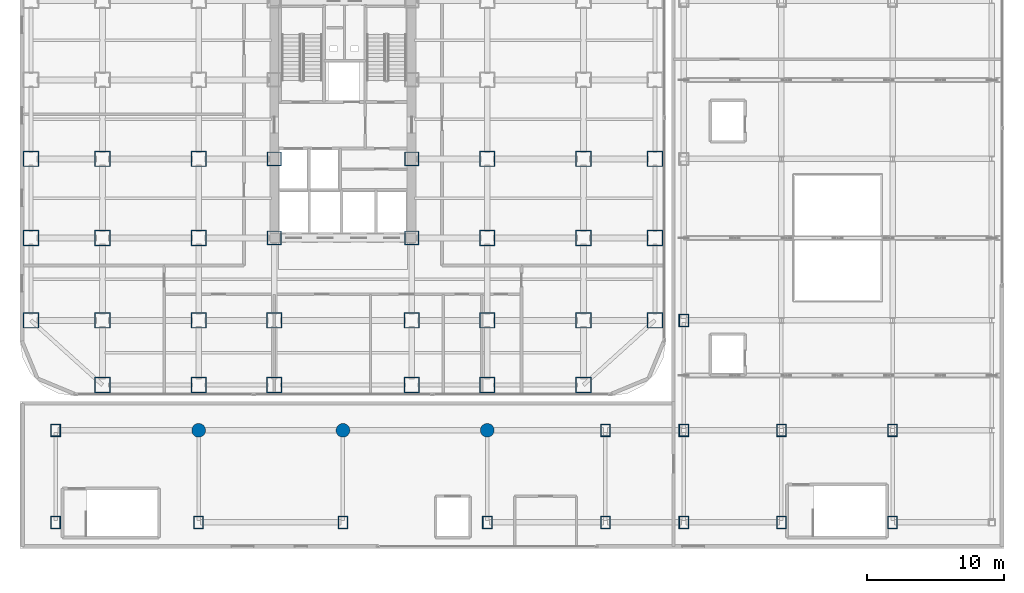
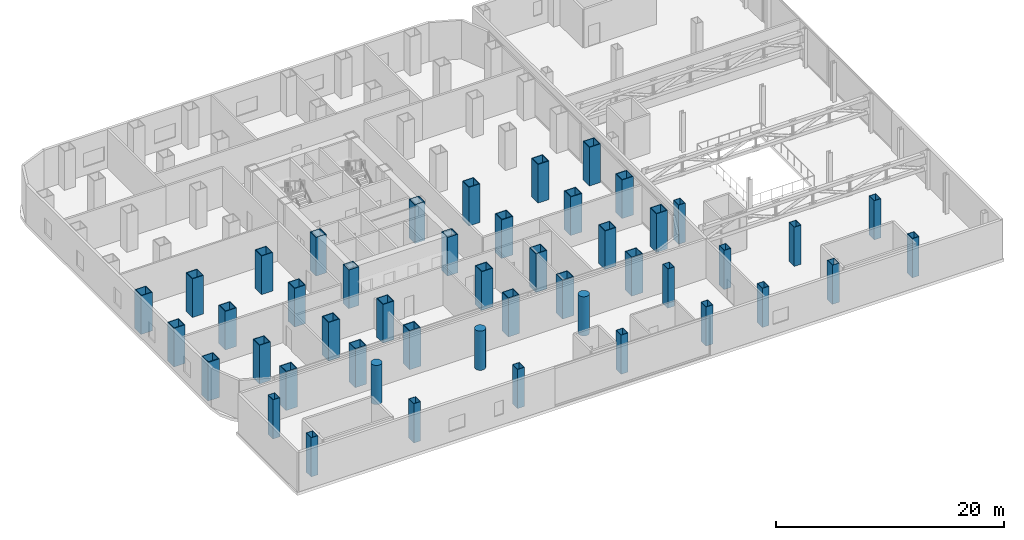
# One storey, part 1 of 28: 47 columns.
"""IFC4 building model written with IfcOpenShell, lengths in metres."""

from ifc_helpers import new_model, si_unit, direction, frame, origin, origin_2d, place, context, subcontext, project, spatial, hollow_rectangle, circle, extrude, source, transform, mapped, material, material_profile, profile_set, type_object, element, save


model = new_model("IFC4")

# Units and contexts
model_context = context("Model", 3, precision=1e-05, world=origin(), true_north=direction((0.0, 1.0)))
body_context = subcontext(model_context, "Body", "Model", "MODEL_VIEW")
ifc_project = project(units=[si_unit("LENGTHUNIT", "METRE"), si_unit("AREAUNIT", "SQUARE_METRE"), si_unit("VOLUMEUNIT", "CUBIC_METRE"), si_unit("PLANEANGLEUNIT", "RADIAN"), si_unit("MASSUNIT", "GRAM", prefix="KILO")], contexts=[model_context])

# Site, building, storey
site_placement = place(None, origin())
site = spatial("IfcSite", under=ifc_project, at=site_placement, CompositionType="ELEMENT")
building_placement = place(site_placement, origin())
building = spatial("IfcBuilding", under=site, at=building_placement, Name="Kolveth Station Tower", CompositionType="ELEMENT")
storey_placement = place(building_placement, frame((0.0, 0.0, 18.0)))
storey = spatial("IfcBuildingStorey", under=building, at=storey_placement, Name="L04", CompositionType="ELEMENT", Elevation=18.0)

# Columns
ifc_material_1 = material(Name="Steel S460", Category="steel")
ifc_material_profile_1 = material_profile(ifc_material_1, hollow_rectangle(XDim=1.139892578125, YDim=1.139892578125, WallThickness=0.070068359375, at=origin_2d()), Name="BOX1140x1140x70")
ifc_profile_set_1 = profile_set([ifc_material_profile_1], Name="Steel S460")
column_type_1 = type_object("IfcColumnType", Name="Col_C1", PredefinedType="COLUMN", material=ifc_profile_set_1)
shared_shape_1 = source(origin(), body_context, "Body", "SweptSolid", [
    extrude(hollow_rectangle(XDim=1.139892578125, YDim=1.139892578125, WallThickness=0.070068359375, at=origin_2d()), origin(), (0.0, 0.0, 1.0), 4.139892578125),
])
for number, where, z_axis, x_axis, name in (
    (1, (6.0, 0.800048828125, 0.0), (0.0, 0.0, 1.0), (1.0, 0.0, 0.0), "L04 Tower Column S-X60"),
    (2, (13.0, 0.800048828125, 0.0), (0.0, 0.0, 1.0), (1.0, 0.0, 0.0), "L04 Tower Column S-X130"),
    (3, (18.5, 0.800048828125, 0.0), (0.0, 0.0, 1.0), (1.0, 0.0, 0.0), "L04 Tower Column S-X185"),
    (4, (28.5, 0.800048828125, 0.0), (0.0, 0.0, 1.0), (1.0, 0.0, 0.0), "L04 Tower Column S-X285"),
    (5, (34.0, 0.800048828125, 0.0), (0.0, 0.0, 1.0), (1.0, 0.0, 0.0), "L04 Tower Column S-X340"),
    (6, (41.0, 0.800048828125, 0.0), (0.0, 0.0, 1.0), (1.0, 0.0, 0.0), "L04 Tower Column S-X410"),
    (7, (0.800048828125, 5.5, 0.0), (0.0, 0.0, 1.0), (1.0, 0.0, 0.0), "L04 Tower Column W-Y55"),
    (8, (46.199951171875, 5.5, 0.0), (0.0, 0.0, 1.0), (1.0, 0.0, 0.0), "L04 Tower Column E-Y55"),
    (9, (0.800048828125, 11.5, 0.0), (0.0, 0.0, 1.0), (1.0, 0.0, 0.0), "L04 Tower Column W-Y115"),
    (10, (46.199951171875, 11.5, 0.0), (0.0, 0.0, 1.0), (1.0, 0.0, 0.0), "L04 Tower Column E-Y115"),
    (11, (0.800048828125, 17.25, 0.0), (0.0, 0.0, 1.0), (1.0, 0.0, 0.0), "L04 Tower Column W-Y172"),
    (12, (46.199951171875, 17.25, 0.0), (0.0, 0.0, 1.0), (1.0, 0.0, 0.0), "L04 Tower Column E-Y172"),
    (13, (6.0, 5.5, 0.0), (0.0, 0.0, 1.0), (1.0, 0.0, 0.0), "L04 Tower Column G-60-55"),
    (14, (6.0, 11.5, 0.0), (0.0, 0.0, 1.0), (1.0, 0.0, 0.0), "L04 Tower Column G-60-115"),
    (15, (6.0, 17.25, 0.0), (0.0, 0.0, 1.0), (1.0, 0.0, 0.0), "L04 Tower Column G-60-172"),
    (16, (13.0, 5.5, 0.0), (0.0, 0.0, 1.0), (1.0, 0.0, 0.0), "L04 Tower Column G-130-55"),
    (17, (13.0, 11.5, 0.0), (0.0, 0.0, 1.0), (1.0, 0.0, 0.0), "L04 Tower Column G-130-115"),
    (18, (13.0, 17.25, 0.0), (0.0, 0.0, 1.0), (1.0, 0.0, 0.0), "L04 Tower Column G-130-172"),
    (19, (18.5, 5.5, 0.0), (0.0, 0.0, 1.0), (1.0, 0.0, 0.0), "L04 Tower Column G-185-55"),
    (20, (28.5, 5.5, 0.0), (0.0, 0.0, 1.0), (1.0, 0.0, 0.0), "L04 Tower Column G-285-55"),
    (21, (34.0, 5.5, 0.0), (0.0, 0.0, 1.0), (1.0, 0.0, 0.0), "L04 Tower Column G-340-55"),
    (22, (34.0, 11.5, 0.0), (0.0, 0.0, 1.0), (1.0, 0.0, 0.0), "L04 Tower Column G-340-115"),
    (23, (34.0, 17.25, 0.0), (0.0, 0.0, 1.0), (1.0, 0.0, 0.0), "L04 Tower Column G-340-172"),
    (24, (41.0, 5.5, 0.0), (0.0, 0.0, 1.0), (1.0, 0.0, 0.0), "L04 Tower Column G-410-55"),
    (25, (41.0, 11.5, 0.0), (0.0, 0.0, 1.0), (1.0, 0.0, 0.0), "L04 Tower Column G-410-115"),
    (26, (41.0, 17.25, 0.0), (0.0, 0.0, 1.0), (1.0, 0.0, 0.0), "L04 Tower Column G-410-172"),
):
    element("IfcColumn", number, at=place(storey_placement, frame(where, z_axis=z_axis, x_axis=x_axis)), inside=storey, type_object=column_type_1, Name=name, PredefinedType="COLUMN", context=body_context, shape_type="MappedRepresentation", body=[
        mapped(shared_shape_1, transform((0.0, 0.0, 0.0), x_axis=(1.0, 0.0, 0.0), y_axis=(0.0, 1.0, 0.0), z_axis=(0.0, 0.0, 1.0), scale=1.0)),
    ])
ifc_material_profile_2 = material_profile(ifc_material_1, hollow_rectangle(XDim=1.0400390625, YDim=1.0400390625, WallThickness=0.06494140625, at=origin_2d()), Name="BOX1040x1040x65")
ifc_profile_set_2 = profile_set([ifc_material_profile_2], Name="Steel S460")
column_type_2 = type_object("IfcColumnType", Name="Col_C2", PredefinedType="COLUMN", material=ifc_profile_set_2)
shared_shape_2 = source(origin(), body_context, "Body", "SweptSolid", [
    extrude(hollow_rectangle(XDim=1.0400390625, YDim=1.0400390625, WallThickness=0.06494140625, at=origin_2d()), origin(), (0.0, 0.0, 1.0), 4.139892578125),
])
for number, where, z_axis, x_axis, name in (
    (27, (18.5, 11.5, 0.0), (0.0, 0.0, 1.0), (1.0, 0.0, 0.0), "L04 Tower Column G-185-115"),
    (28, (18.5, 17.25, 0.0), (0.0, 0.0, 1.0), (1.0, 0.0, 0.0), "L04 Tower Column G-185-172"),
    (29, (28.5, 11.5, 0.0), (0.0, 0.0, 1.0), (1.0, 0.0, 0.0), "L04 Tower Column G-285-115"),
    (30, (28.5, 17.25, 0.0), (0.0, 0.0, 1.0), (1.0, 0.0, 0.0), "L04 Tower Column G-285-172"),
):
    element("IfcColumn", number, at=place(storey_placement, frame(where, z_axis=z_axis, x_axis=x_axis)), inside=storey, type_object=column_type_2, Name=name, PredefinedType="COLUMN", context=body_context, shape_type="MappedRepresentation", body=[
        mapped(shared_shape_2, transform((0.0, 0.0, 0.0), x_axis=(1.0, 0.0, 0.0), y_axis=(0.0, 1.0, 0.0), z_axis=(0.0, 0.0, 1.0), scale=1.0)),
    ])
ifc_material_2 = material(Name="Steel S355", Category="steel")
ifc_material_profile_3 = material_profile(ifc_material_2, hollow_rectangle(XDim=0.699951171875, YDim=0.89990234375, WallThickness=0.0400390625, at=origin_2d()), Name="BOX900x700x40")
ifc_profile_set_3 = profile_set([ifc_material_profile_3], Name="Steel S355")
column_type_3 = type_object("IfcColumnType", Name="Col_SC1", PredefinedType="COLUMN", material=ifc_profile_set_3)
shared_shape_3 = source(origin(), body_context, "Body", "SweptSolid", [
    extrude(hollow_rectangle(XDim=0.699951171875, YDim=0.89990234375, WallThickness=0.0400390625, at=origin_2d()), origin(), (0.0, 0.0, 1.0), 4.199951171875),
])
for number, where, z_axis, x_axis, name in (
    (31, (2.60009765625, -9.199951171875, 0.0), (0.0, 0.0, 1.0), (1.0, 0.0, 0.0), "L04 Station Column SS-A1"),
    (32, (2.60009765625, -2.5, 0.0), (0.0, 0.0, 1.0), (1.0, 0.0, 0.0), "L04 Station Column SS-B1"),
    (33, (13.0, -9.199951171875, 0.0), (0.0, 0.0, 1.0), (1.0, 0.0, 0.0), "L04 Station Column SS-A2"),
    (34, (23.5, -9.199951171875, 0.0), (0.0, 0.0, 1.0), (1.0, 0.0, 0.0), "L04 Station Column SS-A3"),
    (35, (34.0, -9.199951171875, 0.0), (0.0, 0.0, 1.0), (1.0, 0.0, 0.0), "L04 Station Column SS-A4"),
    (36, (42.60009765625, -9.199951171875, 0.0), (0.0, 0.0, 1.0), (1.0, 0.0, 0.0), "L04 Station Column SS-A5"),
    (37, (42.60009765625, -2.5, 0.0), (0.0, 0.0, 1.0), (1.0, 0.0, 0.0), "L04 Station Column SS-B5"),
    (38, (48.300048828125, -9.199951171875, 0.0), (0.0, 0.0, 1.0), (1.0, 0.0, 0.0), "L04 Station Column SE-1-1"),
    (39, (48.300048828125, -2.5, 0.0), (0.0, 0.0, 1.0), (1.0, 0.0, 0.0), "L04 Station Column SE-1-2"),
    (40, (48.300048828125, 5.5, 0.0), (0.0, 0.0, 1.0), (1.0, 0.0, 0.0), "L04 Station Column SE-1-3"),
    (41, (55.39990234375, -9.199951171875, 0.0), (0.0, 0.0, 1.0), (1.0, 0.0, 0.0), "L04 Station Column SE-2-1"),
    (42, (55.39990234375, -2.5, 0.0), (0.0, 0.0, 1.0), (1.0, 0.0, 0.0), "L04 Station Column SE-2-2"),
    (43, (63.5, -9.199951171875, 0.0), (0.0, 0.0, 1.0), (1.0, 0.0, 0.0), "L04 Station Column SE-3-1"),
    (44, (63.5, -2.5, 0.0), (0.0, 0.0, 1.0), (1.0, 0.0, 0.0), "L04 Station Column SE-3-2"),
):
    element("IfcColumn", number, at=place(storey_placement, frame(where, z_axis=z_axis, x_axis=x_axis)), inside=storey, type_object=column_type_3, Name=name, PredefinedType="COLUMN", context=body_context, shape_type="MappedRepresentation", body=[
        mapped(shared_shape_3, transform((0.0, 0.0, 0.0), x_axis=(1.0, 0.0, 0.0), y_axis=(0.0, 1.0, 0.0), z_axis=(0.0, 0.0, 1.0), scale=1.0)),
    ])
ifc_material_3 = material(Name="Concrete C50/60", Category="concrete")
ifc_material_profile_4 = material_profile(ifc_material_3, circle(Radius=0.5, at=origin_2d()), Name="RC-D1000")
ifc_profile_set_4 = profile_set([ifc_material_profile_4], Name="Concrete C50/60")
column_type_4 = type_object("IfcColumnType", Name="Col_CC1", PredefinedType="COLUMN", material=ifc_profile_set_4)
shared_shape_4 = source(origin(), body_context, "Body", "SweptSolid", [
    extrude(circle(Radius=0.5, at=origin_2d()), origin(), (0.0, 0.0, 1.0), 4.199951171875),
])
for number, where, z_axis, x_axis, name in (
    (45, (13.0, -2.5, 0.0), (0.0, 0.0, 1.0), (1.0, 0.0, 0.0), "L04 Station Column SS-B2"),
    (46, (23.5, -2.5, 0.0), (0.0, 0.0, 1.0), (1.0, 0.0, 0.0), "L04 Station Column SS-B3"),
    (47, (34.0, -2.5, 0.0), (0.0, 0.0, 1.0), (1.0, 0.0, 0.0), "L04 Station Column SS-B4"),
):
    element("IfcColumn", number, at=place(storey_placement, frame(where, z_axis=z_axis, x_axis=x_axis)), inside=storey, type_object=column_type_4, Name=name, PredefinedType="COLUMN", context=body_context, shape_type="MappedRepresentation", body=[
        mapped(shared_shape_4, transform((0.0, 0.0, 0.0), x_axis=(1.0, 0.0, 0.0), y_axis=(0.0, 1.0, 0.0), z_axis=(0.0, 0.0, 1.0), scale=1.0)),
    ])

save(model, "model.ifc")
